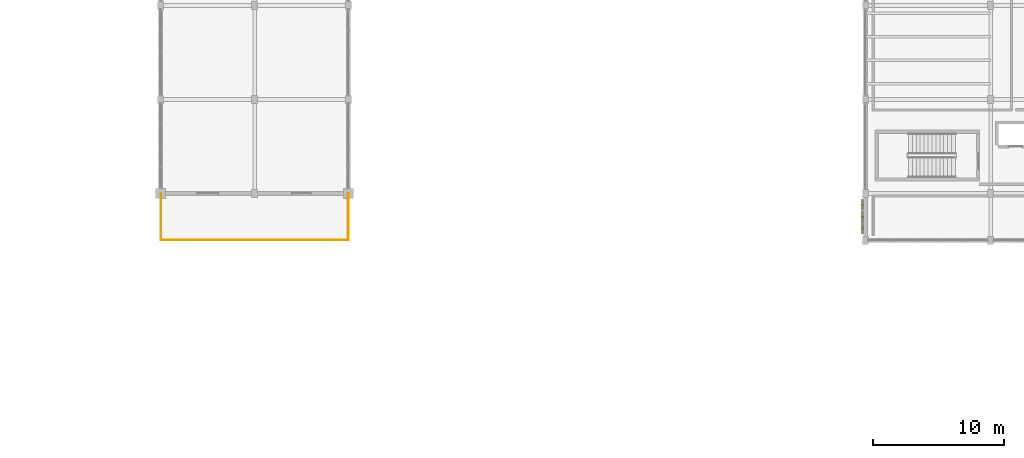
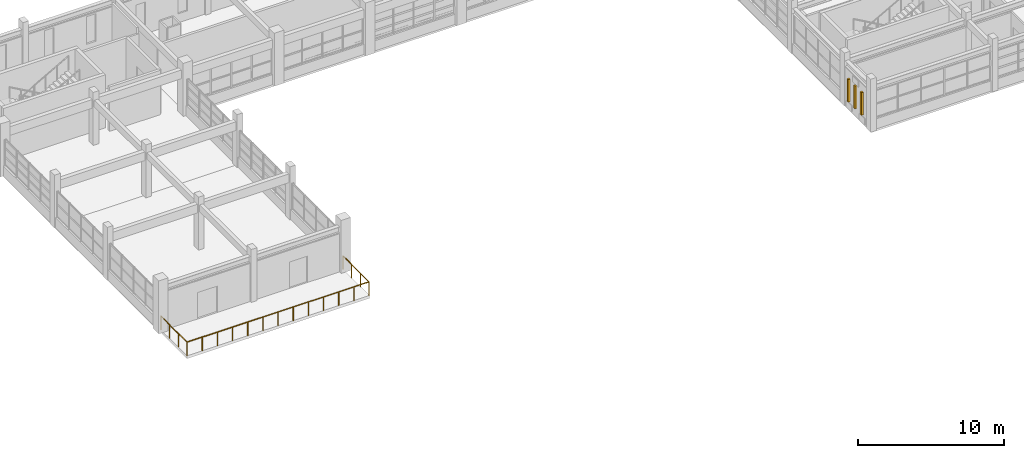
# One storey, part 57 of 69: 3 coverings, 3 railings.
"""IFC4 building model written with IfcOpenShell, lengths in metres."""

import ifcopenshell
import ifcopenshell.guid

model = None  # the IFC model being written
_history = None  # IfcOwnerHistory: only IFC2X3 demands one
_inside = {}  # id of a spatial element -> (the spatial element, [elements in it])
_under = {}  # id of a project, library or spatial element -> (it, [spatial elements below it])
_declared = {}  # id of a project -> (the project, [libraries it declares])
_typed = {}  # id of a type object -> (the type object, [elements of that type])
_made_of = {}  # id of a material, layer set ... -> (it, [elements and type objects made of it])


def new_model(schema):
    """Start an empty IFC model of exactly this schema.

    Asked for "IFC4X3", IfcOpenShell would pick the latest addendum, in which some entities
    have other attributes; the version numbers below select the first issue.
    IFC2X3 requires an IfcOwnerHistory on every rooted entity: one is made here for all.
    """
    global model, _history
    if schema == "IFC4X3":
        model = ifcopenshell.file(schema_version=(4, 3, 0, 0))
    else:
        model = ifcopenshell.file(schema=schema)
    _inside.clear()
    _under.clear()
    _declared.clear()
    _typed.clear()
    _made_of.clear()
    _history = None
    if model.schema == "IFC2X3":
        org = make("IfcOrganization", Name="unknown")
        user = make(
            "IfcPersonAndOrganization",
            ThePerson=make("IfcPerson", FamilyName="unknown"),
            TheOrganization=org,
        )
        app = make(
            "IfcApplication",
            ApplicationDeveloper=org,
            Version="unknown",
            ApplicationFullName="unknown",
            ApplicationIdentifier="unknown",
        )
        _history = make(
            "IfcOwnerHistory",
            OwningUser=user,
            OwningApplication=app,
            ChangeAction="ADDED",
            CreationDate=0,
        )
    return model


def make(cls, **values):
    """One entity of the class cls with the attributes given. An attribute that is None is left unset."""
    return model.create_entity(
        cls, **{name: value for name, value in values.items() if value is not None}
    )


def rooted(cls, **values):
    """An entity with a GlobalId (a new one), such as an element, a storey or a relation."""
    return make(cls, GlobalId=ifcopenshell.guid.new(), OwnerHistory=_history, **values)


def si_unit(unit_type, name, prefix=None):
    """IfcSIUnit, for example si_unit("LENGTHUNIT", "METRE", prefix="MILLI")."""
    return make("IfcSIUnit", UnitType=unit_type, Prefix=prefix, Name=name)


def assignment(units):
    """IfcUnitAssignment: the units of a project."""
    return None if units is None else make("IfcUnitAssignment", Units=units)


def point(xyz):
    """IfcCartesianPoint."""
    return None if xyz is None else make("IfcCartesianPoint", Coordinates=xyz)


def direction(xyz):
    """IfcDirection."""
    return None if xyz is None else make("IfcDirection", DirectionRatios=xyz)


def frame(location, z_axis=None, x_axis=None):
    """IfcAxis2Placement3D, a coordinate frame: its origin and axes. An axis left out is left unset."""
    return make(
        "IfcAxis2Placement3D",
        Location=point(location),
        Axis=direction(z_axis),
        RefDirection=direction(x_axis),
    )


def frame_2d(location, x_axis=None):
    """IfcAxis2Placement2D, a coordinate frame in the plane: its origin and x axis."""
    return make(
        "IfcAxis2Placement2D", Location=point(location), RefDirection=direction(x_axis)
    )


def origin():
    """The frame at (0, 0, 0) with its axes left unset."""
    return frame((0.0, 0.0, 0.0))


def origin_2d():
    """The frame at (0, 0) in the plane with its x axis left unset."""
    return frame_2d((0.0, 0.0))


def place(relative_to, where):
    """IfcLocalPlacement: puts the frame where relative to a parent placement (None: the world)."""
    return make(
        "IfcLocalPlacement", PlacementRelTo=relative_to, RelativePlacement=where
    )


def context(
    kind, dimensions, precision=None, world=None, true_north=None, identifier=None
):
    """IfcGeometricRepresentationContext, for example the 3D "Model" context."""
    return make(
        "IfcGeometricRepresentationContext",
        ContextIdentifier=identifier,
        ContextType=kind,
        CoordinateSpaceDimension=dimensions,
        Precision=precision,
        WorldCoordinateSystem=world,
        TrueNorth=true_north,
    )


def subcontext(parent, identifier, kind, view, scale=None):
    """IfcGeometricRepresentationSubContext, for example "Body" below "Model"."""
    return make(
        "IfcGeometricRepresentationSubContext",
        ContextIdentifier=identifier,
        ContextType=kind,
        ParentContext=parent,
        TargetScale=scale,
        TargetView=view,
    )


def project(units=None, contexts=None):
    """IfcProject with its units and contexts."""
    return rooted(
        "IfcProject",
        Name="project",
        RepresentationContexts=contexts,
        UnitsInContext=assignment(units),
    )


def spatial(cls, under=None, at=None, **own):
    """A site, building, storey or space (cls), placed at a placement, below another one or the project."""
    s = rooted(cls, ObjectPlacement=at, **own)
    if under is not None:
        _under.setdefault(under.id(), (under, []))[1].append(s)
    return s


def profile(cls, at=None, kind="AREA", **sizes):
    """A parametric profile (cls). Its sizes go by their IFC names, for example OverallWidth=200.0."""
    return make(cls, ProfileType=kind, Position=at, **sizes)


def rectangle(**sizes):
    """IfcRectangleProfileDef."""
    return profile("IfcRectangleProfileDef", **sizes)


def circle(**sizes):
    """IfcCircleProfileDef."""
    return profile("IfcCircleProfileDef", **sizes)


def extrude(swept, where, along, depth):
    """IfcExtrudedAreaSolid: the profile swept, set in the frame where, extruded along a direction by depth."""
    return make(
        "IfcExtrudedAreaSolid",
        SweptArea=swept,
        Position=where,
        ExtrudedDirection=direction(along),
        Depth=depth,
    )


def shape(context_of_items, identifier, shape_type, items):
    """IfcShapeRepresentation: the items that make up one representation, for example the "Body"."""
    return make(
        "IfcShapeRepresentation",
        ContextOfItems=context_of_items,
        RepresentationIdentifier=identifier,
        RepresentationType=shape_type,
        Items=items,
    )


def material(Name=None, Category=None):
    """IfcMaterial."""
    return make("IfcMaterial", Name=Name, Category=Category)


def layer(
    of_material, thickness, ventilated=None, Name=None, Category=None, Priority=None
):
    """IfcMaterialLayer: one layer of a wall or slab, of a material (None: an air gap)."""
    return make(
        "IfcMaterialLayer",
        Material=of_material,
        LayerThickness=thickness,
        IsVentilated=ventilated,
        Name=Name,
        Category=Category,
        Priority=Priority,
    )


def layer_set(layers, Name=None):
    """IfcMaterialLayerSet."""
    return make("IfcMaterialLayerSet", MaterialLayers=layers, LayerSetName=Name)


def made_of(thing, what):
    """Note that an element or type object is made of a material, layer set ...; save() writes the relation."""
    if what is not None:
        _made_of.setdefault(what.id(), (what, []))[1].append(thing)
    return thing


def type_object(cls, material=None, **own):
    """A type object (cls), such as IfcWallType, which elements share."""
    return made_of(rooted(cls, **own), material)


def element(
    cls,
    number,
    at=None,
    inside=None,
    cuts=None,
    type_object=None,
    material=None,
    context=None,
    identifier="Body",
    shape_type=None,
    held_by="IfcProductDefinitionShape",
    body=None,
    shapes=None,
    **own,
):
    """One element of the class cls, such as IfcWall. Its Tag is "e" and its number.

    at: its placement. inside: the storey or other place that contains it. cuts: it is an
    opening in that element (IfcRelVoidsElement). A single representation is given by context,
    identifier, shape_type and body (its items); several are given by shapes. held_by: the class
    of the entity that holds the representations. save() writes the other relations.
    """
    e = rooted(cls, Tag="e%d" % number, ObjectPlacement=at, **own)
    if body is not None:
        shapes = [shape(context, identifier, shape_type, body)]
    if shapes is not None:
        e.Representation = make(held_by, Representations=shapes)
    if inside is not None:
        _inside.setdefault(inside.id(), (inside, []))[1].append(e)
    if cuts is not None:
        rooted(
            "IfcRelVoidsElement", RelatingBuildingElement=cuts, RelatedOpeningElement=e
        )
    if type_object is not None:
        _typed.setdefault(type_object.id(), (type_object, []))[1].append(e)
    return made_of(e, material)


def aggregate(whole, parts):
    """IfcRelAggregates: a whole, such as a stair, and the parts it consists of."""
    return rooted("IfcRelAggregates", RelatingObject=whole, RelatedObjects=parts)


def save(model, path):
    """Write the relations noted so far, then the file.

    IfcRelAggregates (storeys below a building ...), IfcRelContainedInSpatialStructure (elements
    in a storey), IfcRelDefinesByType, IfcRelAssociatesMaterial and IfcRelDeclares: one each for
    every whole, place, type object, material and project.
    """
    for whole, parts in _under.values():
        aggregate(whole, parts)
    for where, things in _inside.values():
        rooted(
            "IfcRelContainedInSpatialStructure",
            RelatedElements=things,
            RelatingStructure=where,
        )
    for kind, things in _typed.values():
        rooted("IfcRelDefinesByType", RelatedObjects=things, RelatingType=kind)
    for what, things in _made_of.values():
        rooted("IfcRelAssociatesMaterial", RelatedObjects=things, RelatingMaterial=what)
    for by, libraries in _declared.values():
        rooted("IfcRelDeclares", RelatingContext=by, RelatedDefinitions=libraries)
    model.write(path)


model = new_model("IFC4")

# Units and contexts
model_context = context("Model", 3, precision=1e-05, world=origin(), true_north=direction((0.0, 1.0)))
body_context = subcontext(model_context, "Body", "Model", "MODEL_VIEW")
ifc_project = project(units=[si_unit("LENGTHUNIT", "METRE"), si_unit("AREAUNIT", "SQUARE_METRE"), si_unit("VOLUMEUNIT", "CUBIC_METRE"), si_unit("PLANEANGLEUNIT", "RADIAN"), si_unit("MASSUNIT", "GRAM", prefix="KILO")], contexts=[model_context])

# Site, building, storey
site_placement = place(None, origin())
site = spatial("IfcSite", under=ifc_project, at=site_placement, CompositionType="ELEMENT")
building_placement = place(site_placement, origin())
building = spatial("IfcBuilding", under=site, at=building_placement, Name="Nzembalo Square Collegiate School", CompositionType="ELEMENT")
storey_placement = place(building_placement, frame((0.0, 0.0, 5.10009765625)))
storey = spatial("IfcBuildingStorey", under=building, at=storey_placement, Name="L01", CompositionType="ELEMENT", Elevation=5.10009765625)

# Coverings
ifc_material_1 = material(Name="Glazed ochre ceramic lancet rib")
ifc_layer = layer(ifc_material_1, 0.159912109375, Name="Glazed ochre ceramic lancet rib")
ifc_layer_set = layer_set([ifc_layer], Name="Glazed ochre ceramic lancet rib")
covering_type = type_object("IfcCoveringType", Name="CL02", PredefinedType="CLADDING", material=ifc_layer_set)
for number, where, z_axis, x_axis, name in (
    (1, (130.570068359375, 80.10009765625, 0.759765625), (0.0, 0.0, 1.0), (1.0, 0.0, 0.0), "Gothic ceramic rib CL02-Y0142-0"),
    (2, (130.570068359375, 81.0, 0.759765625), (0.0, 0.0, 1.0), (1.0, 0.0, 0.0), "Gothic ceramic rib CL02-Y0142-1"),
    (3, (130.570068359375, 81.89990234375, 0.759765625), (0.0, 0.0, 1.0), (1.0, 0.0, 0.0), "Gothic ceramic rib CL02-Y0142-2"),
):
    element("IfcCovering", number, at=place(storey_placement, frame(where, z_axis=z_axis, x_axis=x_axis)), inside=storey, type_object=covering_type, Name=name, PredefinedType="CLADDING", context=body_context, shape_type="SweptSolid", body=[
        extrude(rectangle(XDim=0.159912109375, YDim=0.159912109375, at=origin_2d()), origin(), (0.0, 0.0, 1.0), 1.89404296875),
    ])

# Railings
ifc_material_2 = material(Name="Steel S355", Category="steel")
railing_type = type_object("IfcRailingType", Name="BL01", PredefinedType="BALUSTRADE", material=ifc_material_2)
railing_1_placement = place(storey_placement, frame((76.820068359375, 82.800048828125, 0.0)))
element("IfcRailing", 4, at=railing_1_placement, inside=storey, type_object=railing_type, Name="Terrace balustrade BL-02A", PredefinedType="BALUSTRADE", context=body_context, shape_type="SweptSolid", body=[
    extrude(circle(Radius=0.02392578125, at=origin_2d()), frame((0.0, 0.0, 1.1259765625), z_axis=(0.0, -1.0, 0.0), x_axis=(1.0, 0.0, 0.0)), (0.0, 0.0, 1.0), 3.580078125),
    extrude(circle(Radius=0.02099609375, at=origin_2d()), origin(), (0.0, 0.0, 1.0), 1.101806640625),
    extrude(circle(Radius=0.02099609375, at=origin_2d()), frame((0.0, -1.193359375, 0.0)), (0.0, 0.0, 1.0), 1.101806640625),
    extrude(circle(Radius=0.02099609375, at=origin_2d()), frame((0.0, -2.38671875, 0.0)), (0.0, 0.0, 1.0), 1.101806640625),
    extrude(circle(Radius=0.02099609375, at=origin_2d()), frame((0.0, -3.580078125, 0.0)), (0.0, 0.0, 1.0), 1.101806640625),
])
railing_2_placement = place(storey_placement, frame((76.820068359375, 79.219970703125, 0.0)))
element("IfcRailing", 5, at=railing_2_placement, inside=storey, type_object=railing_type, Name="Terrace balustrade BL-02B", PredefinedType="BALUSTRADE", context=body_context, shape_type="SweptSolid", body=[
    extrude(circle(Radius=0.02392578125, at=origin_2d()), frame((0.0, 0.0, 1.1259765625), z_axis=(1.0, 0.0, 0.0), x_axis=(0.0, 1.0, 0.0)), (0.0, 0.0, 1.0), 14.35986328125),
    extrude(circle(Radius=0.02099609375, at=origin_2d()), origin(), (0.0, 0.0, 1.0), 1.101806640625),
    extrude(circle(Radius=0.02099609375, at=origin_2d()), frame((1.19677734375, 0.0, 0.0)), (0.0, 0.0, 1.0), 1.101806640625),
    extrude(circle(Radius=0.02099609375, at=origin_2d()), frame((2.393310546875, 0.0, 0.0)), (0.0, 0.0, 1.0), 1.101806640625),
    extrude(circle(Radius=0.02099609375, at=origin_2d()), frame((3.58984375, 0.0, 0.0)), (0.0, 0.0, 1.0), 1.101806640625),
    extrude(circle(Radius=0.02099609375, at=origin_2d()), frame((4.78662109375, 0.0, 0.0)), (0.0, 0.0, 1.0), 1.101806640625),
    extrude(circle(Radius=0.02099609375, at=origin_2d()), frame((5.9833984375, 0.0, 0.0)), (0.0, 0.0, 1.0), 1.101806640625),
    extrude(circle(Radius=0.02099609375, at=origin_2d()), frame((7.179931640625, 0.0, 0.0)), (0.0, 0.0, 1.0), 1.101806640625),
    extrude(circle(Radius=0.02099609375, at=origin_2d()), frame((8.37646484375, 0.0, 0.0)), (0.0, 0.0, 1.0), 1.101806640625),
    extrude(circle(Radius=0.02099609375, at=origin_2d()), frame((9.5732421875, 0.0, 0.0)), (0.0, 0.0, 1.0), 1.101806640625),
    extrude(circle(Radius=0.02099609375, at=origin_2d()), frame((10.77001953125, 0.0, 0.0)), (0.0, 0.0, 1.0), 1.101806640625),
    extrude(circle(Radius=0.02099609375, at=origin_2d()), frame((11.966552734375, 0.0, 0.0)), (0.0, 0.0, 1.0), 1.101806640625),
    extrude(circle(Radius=0.02099609375, at=origin_2d()), frame((13.1630859375, 0.0, 0.0)), (0.0, 0.0, 1.0), 1.101806640625),
    extrude(circle(Radius=0.02099609375, at=origin_2d()), frame((14.35986328125, 0.0, 0.0)), (0.0, 0.0, 1.0), 1.101806640625),
])
railing_3_placement = place(storey_placement, frame((91.179931640625, 79.219970703125, 0.0)))
element("IfcRailing", 6, at=railing_3_placement, inside=storey, type_object=railing_type, Name="Terrace balustrade BL-02C", PredefinedType="BALUSTRADE", context=body_context, shape_type="SweptSolid", body=[
    extrude(circle(Radius=0.02392578125, at=origin_2d()), frame((0.0, 0.0, 1.1259765625), z_axis=(0.0, 1.0, 0.0), x_axis=(-1.0, 0.0, 0.0)), (0.0, 0.0, 1.0), 3.580078125),
    extrude(circle(Radius=0.02099609375, at=origin_2d()), origin(), (0.0, 0.0, 1.0), 1.101806640625),
    extrude(circle(Radius=0.02099609375, at=origin_2d()), frame((0.0, 1.193359375, 0.0)), (0.0, 0.0, 1.0), 1.101806640625),
    extrude(circle(Radius=0.02099609375, at=origin_2d()), frame((0.0, 2.38671875, 0.0)), (0.0, 0.0, 1.0), 1.101806640625),
    extrude(circle(Radius=0.02099609375, at=origin_2d()), frame((0.0, 3.580078125, 0.0)), (0.0, 0.0, 1.0), 1.101806640625),
])

save(model, "model.ifc")
